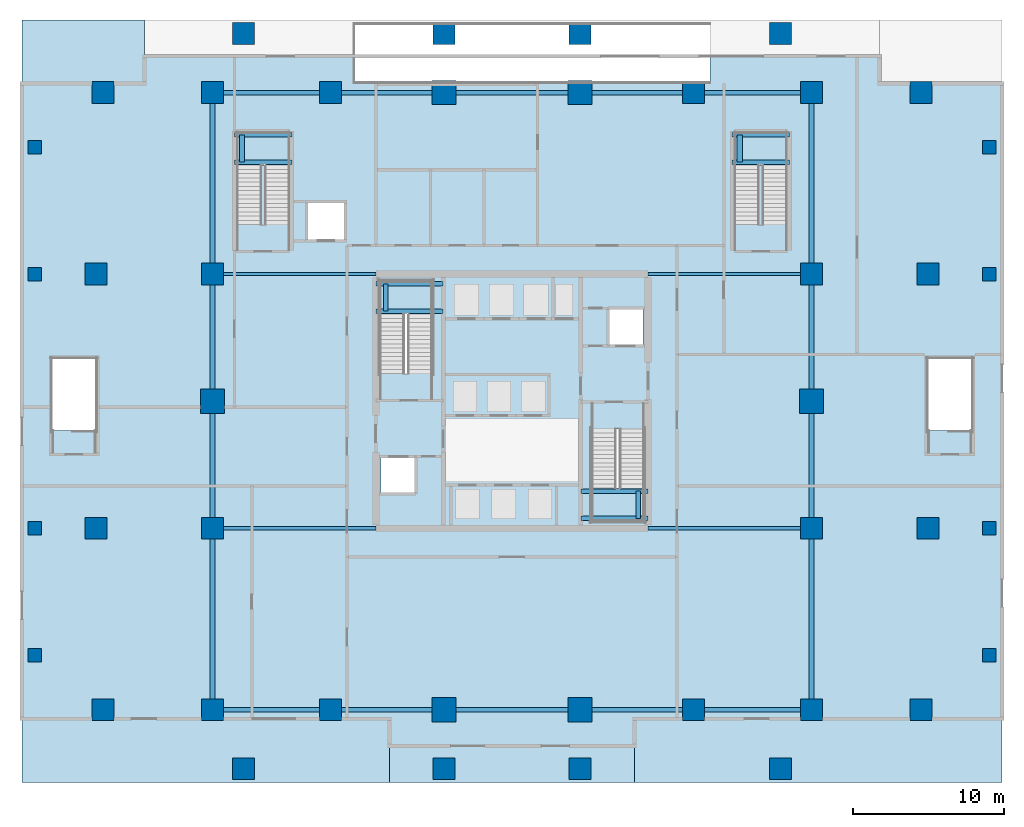
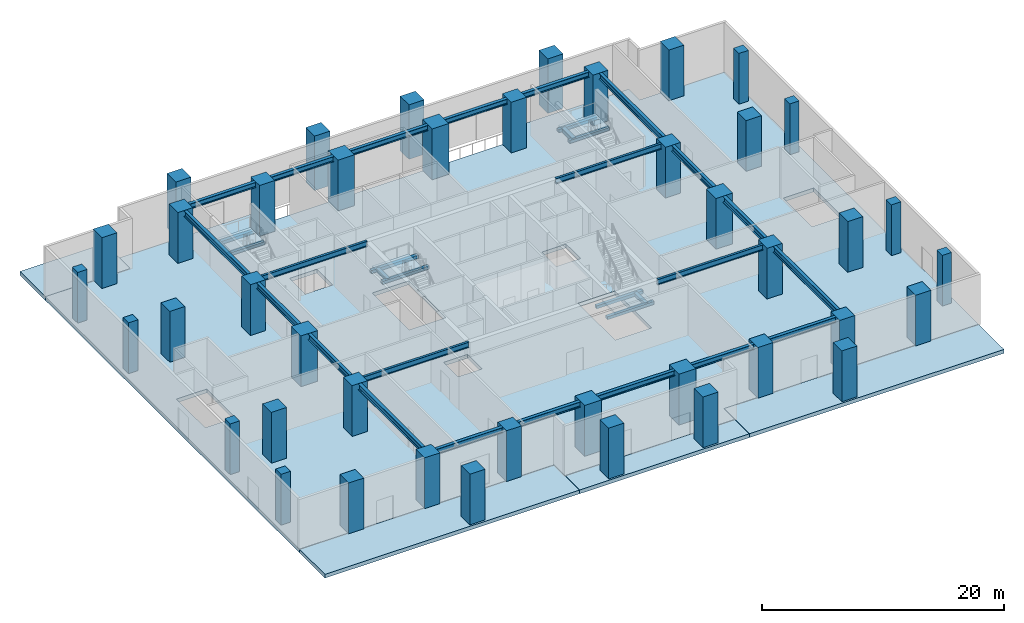
# One storey, part 1 of 15: 42 columns, 34 beams, 9 slabs, 4 elements without a shape of their own.
"""IFC4 building model written with IfcOpenShell, lengths in metres."""

from ifc_helpers import new_model, si_unit, direction, frame, origin, origin_2d, place, context, subcontext, project, spatial, polyline, rectangle, i_section, outline, extrude, source, transform, mapped, material, layer, layer_set, material_profile, profile_set, type_object, element, aggregate, save


model = new_model("IFC4")

# Units and contexts
model_context = context("Model", 3, precision=1e-05, world=origin(), true_north=direction((0.0, 1.0)))
body_context = subcontext(model_context, "Body", "Model", "MODEL_VIEW")
ifc_project = project(units=[si_unit("LENGTHUNIT", "METRE"), si_unit("AREAUNIT", "SQUARE_METRE"), si_unit("VOLUMEUNIT", "CUBIC_METRE"), si_unit("PLANEANGLEUNIT", "RADIAN"), si_unit("MASSUNIT", "GRAM", prefix="KILO")], contexts=[model_context])

# Site, building, storey
site_placement = place(None, origin())
site = spatial("IfcSite", under=ifc_project, at=site_placement, CompositionType="ELEMENT")
building_placement = place(site_placement, origin())
building = spatial("IfcBuilding", under=site, at=building_placement, Name="Serunith Strait Residences", CompositionType="ELEMENT")
storey_placement = place(building_placement, origin())
storey = spatial("IfcBuildingStorey", under=building, at=storey_placement, Name="L00", CompositionType="ELEMENT", Elevation=0.0)

# Columns
ifc_material_1 = material(Name="Concrete C70/85", Category="concrete")
ifc_material_profile_1 = material_profile(ifc_material_1, rectangle(XDim=0.89990234375, YDim=0.89990234375, at=origin_2d()), Name="RC 900x900")
ifc_profile_set_1 = profile_set([ifc_material_profile_1], Name="Concrete C70/85")
column_type_1 = type_object("IfcColumnType", Name="COL-RC-900", PredefinedType="COLUMN", material=ifc_profile_set_1)
shared_shape_1 = source(origin(), body_context, "Body", "SweptSolid", [
    extrude(rectangle(XDim=0.89990234375, YDim=0.89990234375, at=origin_2d()), origin(), (0.0, 0.0, 1.0), 5.5),
])
for number, where, z_axis, x_axis, name in (
    (1, (0.85009765625, 8.39990234375, -0.3798828125), (0.0, 0.0, 1.0), (1.0, 0.0, 0.0), "L00 Podium Column PC-W1"),
    (2, (0.85009765625, 16.800048828125, -0.3798828125), (0.0, 0.0, 1.0), (1.0, 0.0, 0.0), "L00 Podium Column PC-W2"),
    (3, (0.85009765625, 33.60009765625, -0.3798828125), (0.0, 0.0, 1.0), (1.0, 0.0, 0.0), "L00 Podium Column PC-W3"),
    (4, (0.85009765625, 42.0, -0.3798828125), (0.0, 0.0, 1.0), (1.0, 0.0, 0.0), "L00 Podium Column PC-W4"),
    (5, (63.949951171875, 8.39990234375, -0.3798828125), (0.0, 0.0, 1.0), (1.0, 0.0, 0.0), "L00 Podium Column PC-E1"),
    (6, (63.949951171875, 16.800048828125, -0.3798828125), (0.0, 0.0, 1.0), (1.0, 0.0, 0.0), "L00 Podium Column PC-E2"),
    (7, (63.949951171875, 33.60009765625, -0.3798828125), (0.0, 0.0, 1.0), (1.0, 0.0, 0.0), "L00 Podium Column PC-E3"),
    (8, (63.949951171875, 42.0, -0.3798828125), (0.0, 0.0, 1.0), (1.0, 0.0, 0.0), "L00 Podium Column PC-E4"),
):
    element("IfcColumn", number, at=place(storey_placement, frame(where, z_axis=z_axis, x_axis=x_axis)), inside=storey, type_object=column_type_1, Name=name, PredefinedType="COLUMN", context=body_context, shape_type="MappedRepresentation", body=[
        mapped(shared_shape_1, transform((0.0, 0.0, 0.0), scale=1.0)),
    ])
ifc_material_2 = material(Name="Concrete C90/105", Category="concrete")
ifc_material_profile_2 = material_profile(ifc_material_2, rectangle(XDim=1.449951171875, YDim=1.449951171875, at=origin_2d()), Name="RC 1450x1450")
ifc_profile_set_2 = profile_set([ifc_material_profile_2], Name="Concrete C90/105")
column_type_2 = type_object("IfcColumnType", Name="COL-RC-1450", PredefinedType="COLUMN", material=ifc_profile_set_2)
shared_shape_2 = source(origin(), body_context, "Body", "SweptSolid", [
    extrude(rectangle(XDim=1.449951171875, YDim=1.449951171875, at=origin_2d()), origin(), (0.0, 0.0, 1.0), 5.5),
])
for number, where, z_axis, x_axis, name in (
    (9, (12.60009765625, 4.800048828125, -0.3798828125), (0.0, 0.0, 1.0), (1.0, 0.0, 0.0), "L00 Podium Column PC-S1"),
    (10, (20.39990234375, 4.800048828125, -0.3798828125), (0.0, 0.0, 1.0), (1.0, 0.0, 0.0), "L00 Podium Column PC-S2"),
    (11, (44.39990234375, 4.800048828125, -0.3798828125), (0.0, 0.0, 1.0), (1.0, 0.0, 0.0), "L00 Podium Column PC-S5"),
    (12, (52.199951171875, 4.800048828125, -0.3798828125), (0.0, 0.0, 1.0), (1.0, 0.0, 0.0), "L00 Podium Column PC-S6"),
    (13, (12.60009765625, 45.60009765625, -0.3798828125), (0.0, 0.0, 1.0), (1.0, 0.0, 0.0), "L00 Podium Column PC-N1"),
    (14, (20.39990234375, 45.60009765625, -0.3798828125), (0.0, 0.0, 1.0), (1.0, 0.0, 0.0), "L00 Podium Column PC-N2"),
    (15, (44.39990234375, 45.60009765625, -0.3798828125), (0.0, 0.0, 1.0), (1.0, 0.0, 0.0), "L00 Podium Column PC-N5"),
    (16, (52.199951171875, 45.60009765625, -0.3798828125), (0.0, 0.0, 1.0), (1.0, 0.0, 0.0), "L00 Podium Column PC-N6"),
    (17, (12.60009765625, 16.800048828125, -0.3798828125), (0.0, 0.0, 1.0), (1.0, 0.0, 0.0), "L00 Podium Column PC-MW1"),
    (18, (12.60009765625, 33.60009765625, -0.3798828125), (0.0, 0.0, 1.0), (1.0, 0.0, 0.0), "L00 Podium Column PC-MW3"),
    (19, (52.199951171875, 16.800048828125, -0.3798828125), (0.0, 0.0, 1.0), (1.0, 0.0, 0.0), "L00 Podium Column PC-ME1"),
    (20, (52.199951171875, 33.60009765625, -0.3798828125), (0.0, 0.0, 1.0), (1.0, 0.0, 0.0), "L00 Podium Column PC-ME3"),
    (21, (14.64990234375, 0.89990234375, -0.3798828125), (0.0, 0.0, 1.0), (1.0, 0.0, 0.0), "L00 Podium Column PC-RS1"),
    (22, (27.89990234375, 0.89990234375, -0.3798828125), (0.0, 0.0, 1.0), (1.0, 0.0, 0.0), "L00 Podium Column PC-RS2"),
    (23, (36.89990234375, 0.89990234375, -0.3798828125), (0.0, 0.0, 1.0), (1.0, 0.0, 0.0), "L00 Podium Column PC-RS3"),
    (24, (50.14990234375, 0.89990234375, -0.3798828125), (0.0, 0.0, 1.0), (1.0, 0.0, 0.0), "L00 Podium Column PC-RS4"),
    (25, (14.64990234375, 49.5, -0.3798828125), (0.0, 0.0, 1.0), (1.0, 0.0, 0.0), "L00 Podium Column PC-RN1"),
    (26, (27.89990234375, 49.5, -0.3798828125), (0.0, 0.0, 1.0), (1.0, 0.0, 0.0), "L00 Podium Column PC-RN2"),
    (27, (36.89990234375, 49.5, -0.3798828125), (0.0, 0.0, 1.0), (1.0, 0.0, 0.0), "L00 Podium Column PC-RN3"),
    (28, (50.14990234375, 49.5, -0.3798828125), (0.0, 0.0, 1.0), (1.0, 0.0, 0.0), "L00 Podium Column PC-RN4"),
    (29, (4.89990234375, 16.800048828125, -0.3798828125), (0.0, 0.0, 1.0), (1.0, 0.0, 0.0), "L00 Podium Column PC-RW1"),
    (30, (4.89990234375, 33.60009765625, -0.3798828125), (0.0, 0.0, 1.0), (1.0, 0.0, 0.0), "L00 Podium Column PC-RW2"),
    (31, (59.89990234375, 16.800048828125, -0.3798828125), (0.0, 0.0, 1.0), (1.0, 0.0, 0.0), "L00 Podium Column PC-RE1"),
    (32, (59.89990234375, 33.60009765625, -0.3798828125), (0.0, 0.0, 1.0), (1.0, 0.0, 0.0), "L00 Podium Column PC-RE2"),
    (33, (5.35009765625, 4.800048828125, -0.3798828125), (0.0, 0.0, 1.0), (1.0, 0.0, 0.0), "L00 Podium Column PC-RWS"),
    (34, (5.35009765625, 45.60009765625, -0.3798828125), (0.0, 0.0, 1.0), (1.0, 0.0, 0.0), "L00 Podium Column PC-RWN"),
    (35, (59.449951171875, 4.800048828125, -0.3798828125), (0.0, 0.0, 1.0), (1.0, 0.0, 0.0), "L00 Podium Column PC-RES"),
    (36, (59.449951171875, 45.60009765625, -0.3798828125), (0.0, 0.0, 1.0), (1.0, 0.0, 0.0), "L00 Podium Column PC-REN"),
):
    element("IfcColumn", number, at=place(storey_placement, frame(where, z_axis=z_axis, x_axis=x_axis)), inside=storey, type_object=column_type_2, Name=name, PredefinedType="COLUMN", context=body_context, shape_type="MappedRepresentation", body=[
        mapped(shared_shape_2, transform((0.0, 0.0, 0.0), scale=1.0)),
    ])
ifc_material_profile_3 = material_profile(ifc_material_2, rectangle(XDim=1.60009765625, YDim=1.60009765625, at=origin_2d()), Name="RC 1600x1600")
ifc_profile_set_3 = profile_set([ifc_material_profile_3], Name="Concrete C90/105")
column_type_3 = type_object("IfcColumnType", Name="COL-RC-1600", PredefinedType="COLUMN", material=ifc_profile_set_3)
shared_shape_3 = source(origin(), body_context, "Body", "SweptSolid", [
    extrude(rectangle(XDim=1.60009765625, YDim=1.60009765625, at=origin_2d()), origin(), (0.0, 0.0, 1.0), 5.5),
])
for number, where, z_axis, x_axis, name in (
    (37, (27.89990234375, 4.800048828125, -0.3798828125), (0.0, 0.0, 1.0), (1.0, 0.0, 0.0), "L00 Podium Column PC-S3"),
    (38, (36.89990234375, 4.800048828125, -0.3798828125), (0.0, 0.0, 1.0), (1.0, 0.0, 0.0), "L00 Podium Column PC-S4"),
    (39, (27.89990234375, 45.60009765625, -0.3798828125), (0.0, 0.0, 1.0), (1.0, 0.0, 0.0), "L00 Podium Column PC-N3"),
    (40, (36.89990234375, 45.60009765625, -0.3798828125), (0.0, 0.0, 1.0), (1.0, 0.0, 0.0), "L00 Podium Column PC-N4"),
    (41, (12.60009765625, 25.199951171875, -0.3798828125), (0.0, 0.0, 1.0), (1.0, 0.0, 0.0), "L00 Podium Column PC-MW2"),
    (42, (52.199951171875, 25.199951171875, -0.3798828125), (0.0, 0.0, 1.0), (1.0, 0.0, 0.0), "L00 Podium Column PC-ME2"),
):
    element("IfcColumn", number, at=place(storey_placement, frame(where, z_axis=z_axis, x_axis=x_axis)), inside=storey, type_object=column_type_3, Name=name, PredefinedType="COLUMN", context=body_context, shape_type="MappedRepresentation", body=[
        mapped(shared_shape_3, transform((0.0, 0.0, 0.0), scale=1.0)),
    ])

# Beams
ifc_material_3 = material(Name="Steel S355J2", Category="steel")
ifc_material_profile_4 = material_profile(ifc_material_3, i_section(OverallWidth=0.300048828125, OverallDepth=0.550048828125, WebThickness=0.014892578125, FlangeThickness=0.029052734375, FilletRadius=0.027099609375, at=origin_2d()), Name="HEB 550")
ifc_profile_set_4 = profile_set([ifc_material_profile_4], Name="Steel S355J2")
beam_type_1 = type_object("IfcBeamType", Name="BM-HEB550", PredefinedType="BEAM", material=ifc_profile_set_4)
shared_shape_4 = source(origin(), body_context, "Body", "SweptSolid", [
    extrude(i_section(OverallWidth=0.300048828125, OverallDepth=0.550048828125, WebThickness=0.014892578125, FlangeThickness=0.029052734375, FilletRadius=0.027099609375, at=origin_2d()), origin(), (0.0, 0.0, 1.0), 7.7998046875),
])
for number, where, z_axis, x_axis, name in (
    (43, (12.60009765625, 4.800048828125, 4.842041015625), (1.0, 0.0, 0.0), (0.0, 1.0, 0.0), "BM-L00-01"),
    (44, (12.60009765625, 45.60009765625, 4.842041015625), (1.0, 0.0, 0.0), (0.0, 1.0, 0.0), "BM-L00-06"),
):
    element("IfcBeam", number, at=place(storey_placement, frame(where, z_axis=z_axis, x_axis=x_axis)), inside=storey, type_object=beam_type_1, Name=name, PredefinedType="BEAM", context=body_context, shape_type="MappedRepresentation", body=[
        mapped(shared_shape_4, transform((0.0, 0.0, 0.0), scale=1.0)),
    ])
shared_shape_5 = source(origin(), body_context, "Body", "SweptSolid", [
    extrude(i_section(OverallWidth=0.300048828125, OverallDepth=0.550048828125, WebThickness=0.014892578125, FlangeThickness=0.029052734375, FilletRadius=0.027099609375, at=origin_2d()), origin(), (0.0, 0.0, 1.0), 7.5),
])
for number, where, z_axis, x_axis, name in (
    (45, (20.39990234375, 4.800048828125, 4.842041015625), (1.0, 0.0, 0.0), (0.0, 1.0, 0.0), "BM-L00-02"),
    (46, (36.89990234375, 4.800048828125, 4.842041015625), (1.0, 0.0, 0.0), (0.0, 1.0, 0.0), "BM-L00-04"),
    (47, (20.39990234375, 45.60009765625, 4.842041015625), (1.0, 0.0, 0.0), (0.0, 1.0, 0.0), "BM-L00-07"),
    (48, (36.89990234375, 45.60009765625, 4.842041015625), (1.0, 0.0, 0.0), (0.0, 1.0, 0.0), "BM-L00-09"),
):
    element("IfcBeam", number, at=place(storey_placement, frame(where, z_axis=z_axis, x_axis=x_axis)), inside=storey, type_object=beam_type_1, Name=name, PredefinedType="BEAM", context=body_context, shape_type="MappedRepresentation", body=[
        mapped(shared_shape_5, transform((0.0, 0.0, 0.0), scale=1.0)),
    ])
shared_shape_6 = source(origin(), body_context, "Body", "SweptSolid", [
    extrude(i_section(OverallWidth=0.300048828125, OverallDepth=0.550048828125, WebThickness=0.014892578125, FlangeThickness=0.029052734375, FilletRadius=0.027099609375, at=origin_2d()), origin(), (0.0, 0.0, 1.0), 9.0),
])
for number, where, z_axis, x_axis, name in (
    (49, (27.89990234375, 4.800048828125, 4.842041015625), (1.0, 0.0, 0.0), (0.0, 1.0, 0.0), "BM-L00-03"),
    (50, (27.89990234375, 45.60009765625, 4.842041015625), (1.0, 0.0, 0.0), (0.0, 1.0, 0.0), "BM-L00-08"),
):
    element("IfcBeam", number, at=place(storey_placement, frame(where, z_axis=z_axis, x_axis=x_axis)), inside=storey, type_object=beam_type_1, Name=name, PredefinedType="BEAM", context=body_context, shape_type="MappedRepresentation", body=[
        mapped(shared_shape_6, transform((0.0, 0.0, 0.0), scale=1.0)),
    ])
shared_shape_7 = source(origin(), body_context, "Body", "SweptSolid", [
    extrude(i_section(OverallWidth=0.300048828125, OverallDepth=0.550048828125, WebThickness=0.014892578125, FlangeThickness=0.029052734375, FilletRadius=0.027099609375, at=origin_2d()), origin(), (0.0, 0.0, 1.0), 7.800048828125),
])
for number, where, z_axis, x_axis, name in (
    (51, (44.39990234375, 4.800048828125, 4.842041015625), (1.0, 0.0, 0.0), (0.0, 1.0, 0.0), "BM-L00-05"),
    (52, (44.39990234375, 45.60009765625, 4.842041015625), (1.0, 0.0, 0.0), (0.0, 1.0, 0.0), "BM-L00-10"),
):
    element("IfcBeam", number, at=place(storey_placement, frame(where, z_axis=z_axis, x_axis=x_axis)), inside=storey, type_object=beam_type_1, Name=name, PredefinedType="BEAM", context=body_context, shape_type="MappedRepresentation", body=[
        mapped(shared_shape_7, transform((0.0, 0.0, 0.0), scale=1.0)),
    ])
ifc_material_profile_5 = material_profile(ifc_material_3, i_section(OverallWidth=0.300048828125, OverallDepth=0.60009765625, WebThickness=0.015380859375, FlangeThickness=0.030029296875, FilletRadius=0.027099609375, at=origin_2d()), Name="HEB 600")
ifc_profile_set_5 = profile_set([ifc_material_profile_5], Name="Steel S355J2")
beam_type_2 = type_object("IfcBeamType", Name="BM-HEB600", PredefinedType="BEAM", material=ifc_profile_set_5)
shared_shape_8 = source(origin(), body_context, "Body", "SweptSolid", [
    extrude(i_section(OverallWidth=0.300048828125, OverallDepth=0.60009765625, WebThickness=0.015380859375, FlangeThickness=0.030029296875, FilletRadius=0.027099609375, at=origin_2d()), origin(), (0.0, 0.0, 1.0), 12.0),
])
for number, where, z_axis, x_axis, name in (
    (53, (12.60009765625, 4.800048828125, 4.81689453125), (0.0, 1.0, 0.0), (-1.0, 0.0, 0.0), "BM-L00-11"),
    (54, (12.60009765625, 33.60009765625, 4.81689453125), (0.0, 1.0, 0.0), (-1.0, 0.0, 0.0), "BM-L00-14"),
    (55, (52.199951171875, 4.800048828125, 4.81689453125), (0.0, 1.0, 0.0), (-1.0, 0.0, 0.0), "BM-L00-15"),
    (56, (52.199951171875, 33.60009765625, 4.81689453125), (0.0, 1.0, 0.0), (-1.0, 0.0, 0.0), "BM-L00-18"),
):
    element("IfcBeam", number, at=place(storey_placement, frame(where, z_axis=z_axis, x_axis=x_axis)), inside=storey, type_object=beam_type_2, Name=name, PredefinedType="BEAM", context=body_context, shape_type="MappedRepresentation", body=[
        mapped(shared_shape_8, transform((0.0, 0.0, 0.0), scale=1.0)),
    ])
shared_shape_9 = source(origin(), body_context, "Body", "SweptSolid", [
    extrude(i_section(OverallWidth=0.300048828125, OverallDepth=0.60009765625, WebThickness=0.015380859375, FlangeThickness=0.030029296875, FilletRadius=0.027099609375, at=origin_2d()), origin(), (0.0, 0.0, 1.0), 8.39990234375),
])
for number, where, z_axis, x_axis, name in (
    (57, (12.60009765625, 16.800048828125, 4.81689453125), (0.0, 1.0, 0.0), (-1.0, 0.0, 0.0), "BM-L00-12"),
    (58, (52.199951171875, 16.800048828125, 4.81689453125), (0.0, 1.0, 0.0), (-1.0, 0.0, 0.0), "BM-L00-16"),
):
    element("IfcBeam", number, at=place(storey_placement, frame(where, z_axis=z_axis, x_axis=x_axis)), inside=storey, type_object=beam_type_2, Name=name, PredefinedType="BEAM", context=body_context, shape_type="MappedRepresentation", body=[
        mapped(shared_shape_9, transform((0.0, 0.0, 0.0), scale=1.0)),
    ])
shared_shape_10 = source(origin(), body_context, "Body", "SweptSolid", [
    extrude(i_section(OverallWidth=0.300048828125, OverallDepth=0.60009765625, WebThickness=0.015380859375, FlangeThickness=0.030029296875, FilletRadius=0.027099609375, at=origin_2d()), origin(), (0.0, 0.0, 1.0), 8.400146484375),
])
for number, where, z_axis, x_axis, name in (
    (59, (12.60009765625, 25.199951171875, 4.81689453125), (0.0, 1.0, 0.0), (-1.0, 0.0, 0.0), "BM-L00-13"),
    (60, (52.199951171875, 25.199951171875, 4.81689453125), (0.0, 1.0, 0.0), (-1.0, 0.0, 0.0), "BM-L00-17"),
):
    element("IfcBeam", number, at=place(storey_placement, frame(where, z_axis=z_axis, x_axis=x_axis)), inside=storey, type_object=beam_type_2, Name=name, PredefinedType="BEAM", context=body_context, shape_type="MappedRepresentation", body=[
        mapped(shared_shape_10, transform((0.0, 0.0, 0.0), scale=1.0)),
    ])
ifc_material_profile_6 = material_profile(ifc_material_3, i_section(OverallWidth=0.2099609375, OverallDepth=0.550048828125, WebThickness=0.010986328125, FlangeThickness=0.01708984375, FilletRadius=0.02392578125, at=origin_2d()), Name="IPE 550")
ifc_profile_set_6 = profile_set([ifc_material_profile_6], Name="Steel S355J2")
beam_type_3 = type_object("IfcBeamType", Name="BM-IPE550", PredefinedType="BEAM", material=ifc_profile_set_6)
shared_shape_11 = source(origin(), body_context, "Body", "SweptSolid", [
    extrude(i_section(OverallWidth=0.2099609375, OverallDepth=0.550048828125, WebThickness=0.010986328125, FlangeThickness=0.01708984375, FilletRadius=0.02392578125, at=origin_2d()), origin(), (0.0, 0.0, 1.0), 10.7998046875),
])
for number, where, z_axis, x_axis, name in (
    (61, (12.60009765625, 16.800048828125, 4.842041015625), (1.0, 0.0, 0.0), (0.0, 1.0, 0.0), "BM-L00-19"),
    (62, (12.60009765625, 33.60009765625, 4.842041015625), (1.0, 0.0, 0.0), (0.0, 1.0, 0.0), "BM-L00-21"),
):
    element("IfcBeam", number, at=place(storey_placement, frame(where, z_axis=z_axis, x_axis=x_axis)), inside=storey, type_object=beam_type_3, Name=name, PredefinedType="BEAM", context=body_context, shape_type="MappedRepresentation", body=[
        mapped(shared_shape_11, transform((0.0, 0.0, 0.0), scale=1.0)),
    ])
shared_shape_12 = source(origin(), body_context, "Body", "SweptSolid", [
    extrude(i_section(OverallWidth=0.2099609375, OverallDepth=0.550048828125, WebThickness=0.010986328125, FlangeThickness=0.01708984375, FilletRadius=0.02392578125, at=origin_2d()), origin(), (0.0, 0.0, 1.0), 10.800048828125),
])
for number, where, z_axis, x_axis, name in (
    (63, (41.39990234375, 16.800048828125, 4.842041015625), (1.0, 0.0, 0.0), (0.0, 1.0, 0.0), "BM-L00-20"),
    (64, (41.39990234375, 33.60009765625, 4.842041015625), (1.0, 0.0, 0.0), (0.0, 1.0, 0.0), "BM-L00-22"),
):
    element("IfcBeam", number, at=place(storey_placement, frame(where, z_axis=z_axis, x_axis=x_axis)), inside=storey, type_object=beam_type_3, Name=name, PredefinedType="BEAM", context=body_context, shape_type="MappedRepresentation", body=[
        mapped(shared_shape_12, transform((0.0, 0.0, 0.0), scale=1.0)),
    ])
ifc_material_4 = material(Name="Concrete C60/75", Category="concrete")
ifc_material_profile_7 = material_profile(ifc_material_4, rectangle(XDim=0.300048828125, YDim=0.300048828125, at=origin_2d()), Name="RC 300x300")
ifc_profile_set_7 = profile_set([ifc_material_profile_7], Name="Concrete C60/75")
beam_type_4 = type_object("IfcBeamType", Name="BM-LAND-300x300", PredefinedType="BEAM", material=ifc_profile_set_7)
shared_shape_13 = source(origin(), body_context, "Body", "SweptSolid", [
    extrude(rectangle(XDim=0.300048828125, YDim=0.300048828125, at=origin_2d()), origin(), (0.0, 0.0, 1.0), 4.4501953125),
])
for number, where, z_axis, x_axis, name in (
    (65, (23.39990234375, 31.14990234375, 2.39990234375), (1.0, 0.0, 0.0), (0.0, 1.0, 0.0), "L00 ST-1 Landing Support Beam 1"),
    (66, (23.39990234375, 32.949951171875, 2.39990234375), (1.0, 0.0, 0.0), (0.0, 1.0, 0.0), "L00 ST-1 Landing Support Beam 2"),
):
    element("IfcBeam", number, at=place(storey_placement, frame(where, z_axis=z_axis, x_axis=x_axis)), inside=storey, type_object=beam_type_4, Name=name, PredefinedType="BEAM", context=body_context, shape_type="MappedRepresentation", body=[
        mapped(shared_shape_13, transform((0.0, 0.0, 0.0), scale=1.0)),
    ])
shared_shape_14 = source(origin(), body_context, "Body", "SweptSolid", [
    extrude(rectangle(XDim=0.300048828125, YDim=0.300048828125, at=origin_2d()), origin(), (0.0, 0.0, 1.0), 1.800048828125),
])
for number, where, z_axis, x_axis, name in (
    (67, (24.050048828125, 31.14990234375, 2.39990234375), (0.0, 1.0, 0.0), (-1.0, 0.0, 0.0), "L00 ST-1 Landing Transverse Tie Beam"),
    (68, (40.75, 17.449951171875, 2.39990234375), (0.0, 1.0, 0.0), (-1.0, 0.0, 0.0), "L00 ST-2 Landing Transverse Tie Beam"),
):
    element("IfcBeam", number, at=place(storey_placement, frame(where, z_axis=z_axis, x_axis=x_axis)), inside=storey, type_object=beam_type_4, Name=name, PredefinedType="BEAM", context=body_context, shape_type="MappedRepresentation", body=[
        mapped(shared_shape_14, transform((0.0, 0.0, 0.0), scale=1.0)),
    ])
shared_shape_15 = source(origin(), body_context, "Body", "SweptSolid", [
    extrude(rectangle(XDim=0.300048828125, YDim=0.300048828125, at=origin_2d()), origin(), (0.0, 0.0, 1.0), 4.449951171875),
])
for number, where, z_axis, x_axis, name in (
    (69, (36.949951171875, 17.449951171875, 2.39990234375), (1.0, 0.0, 0.0), (0.0, 1.0, 0.0), "L00 ST-2 Landing Support Beam 1"),
    (70, (36.949951171875, 19.25, 2.39990234375), (1.0, 0.0, 0.0), (0.0, 1.0, 0.0), "L00 ST-2 Landing Support Beam 2"),
):
    element("IfcBeam", number, at=place(storey_placement, frame(where, z_axis=z_axis, x_axis=x_axis)), inside=storey, type_object=beam_type_4, Name=name, PredefinedType="BEAM", context=body_context, shape_type="MappedRepresentation", body=[
        mapped(shared_shape_15, transform((0.0, 0.0, 0.0), scale=1.0)),
    ])
shared_shape_16 = source(origin(), body_context, "Body", "SweptSolid", [
    extrude(rectangle(XDim=0.300048828125, YDim=0.300048828125, at=origin_2d()), origin(), (0.0, 0.0, 1.0), 3.800048828125),
])
for number, where, z_axis, x_axis, name in (
    (71, (14.050048828125, 41.0, 2.39990234375), (1.0, 0.0, 0.0), (0.0, 1.0, 0.0), "L00 ST-3 Landing Support Beam 1"),
    (72, (14.050048828125, 42.800048828125, 2.39990234375), (1.0, 0.0, 0.0), (0.0, 1.0, 0.0), "L00 ST-3 Landing Support Beam 2"),
    (73, (46.949951171875, 41.0, 2.39990234375), (1.0, 0.0, 0.0), (0.0, 1.0, 0.0), "L00 ST-4 Landing Support Beam 1"),
    (74, (46.949951171875, 42.800048828125, 2.39990234375), (1.0, 0.0, 0.0), (0.0, 1.0, 0.0), "L00 ST-4 Landing Support Beam 2"),
):
    element("IfcBeam", number, at=place(storey_placement, frame(where, z_axis=z_axis, x_axis=x_axis)), inside=storey, type_object=beam_type_4, Name=name, PredefinedType="BEAM", context=body_context, shape_type="MappedRepresentation", body=[
        mapped(shared_shape_16, transform((0.0, 0.0, 0.0), scale=1.0)),
    ])
ifc_material_profile_8 = material_profile(ifc_material_4, rectangle(XDim=0.35009765625, YDim=0.39990234375, at=origin_2d()), Name="RC 350x400")
ifc_profile_set_8 = profile_set([ifc_material_profile_8], Name="Concrete C60/75")
beam_type_5 = type_object("IfcBeamType", Name="BM-LAND-350x400", PredefinedType="BEAM", material=ifc_profile_set_8)
shared_shape_17 = source(origin(), body_context, "Body", "SweptSolid", [
    extrude(rectangle(XDim=0.35009765625, YDim=0.39990234375, at=origin_2d()), origin(), (0.0, 0.0, 1.0), 1.800048828125),
])
for number, where, z_axis, x_axis, name in (
    (75, (14.550048828125, 41.0, 2.35009765625), (0.0, 1.0, 0.0), (-1.0, 0.0, 0.0), "L00 ST-3 Landing Transverse Trimmer"),
    (76, (47.449951171875, 41.0, 2.35009765625), (0.0, 1.0, 0.0), (-1.0, 0.0, 0.0), "L00 ST-4 Landing Transverse Trimmer"),
):
    element("IfcBeam", number, at=place(storey_placement, frame(where, z_axis=z_axis, x_axis=x_axis)), inside=storey, type_object=beam_type_5, Name=name, PredefinedType="BEAM", context=body_context, shape_type="MappedRepresentation", body=[
        mapped(shared_shape_17, transform((0.0, 0.0, 0.0), scale=1.0)),
    ])

# Stair, slab
ifc_material_5 = material(Name="Concrete C50/60", Category="concrete")
stair_type_1 = type_object("IfcStairType", Name="STR-CORE-1", PredefinedType="HALF_TURN_STAIR", material=ifc_material_5)
stair_1_placement = place(storey_placement, origin())
stair_1 = element("IfcStair", 77, at=stair_1_placement, inside=storey, type_object=stair_type_1, Name="L00 Protected Escape Stair ST-1", PredefinedType="HALF_TURN_STAIR")
ifc_layer_1 = layer(ifc_material_5, 0.199951171875, Name="Concrete C50/60")
ifc_layer_set_1 = layer_set([ifc_layer_1], Name="Concrete C50/60")
slab_type_1 = type_object("IfcSlabType", Name="SLB-LAND-200", PredefinedType="LANDING", material=ifc_layer_set_1)
slab_1_placement = place(storey_placement, frame((0.0, 0.0, 2.550048828125)))
slab_1 = element("IfcSlab", 78, at=slab_1_placement, type_object=slab_type_1, Name="ST-1 landing 1", PredefinedType="LANDING", context=body_context, shape_type="SweptSolid", body=[
    extrude(outline(polyline([(27.14990234375, 30.949951171875), (27.14990234375, 33.14990234375), (23.64990234375, 33.14990234375), (23.64990234375, 30.949951171875), (27.14990234375, 30.949951171875)])), origin(), (0.0, 0.0, 1.0), 0.199951171875),
])
aggregate(stair_1, [slab_1])

stair_type_2 = type_object("IfcStairType", Name="STR-CORE-2", PredefinedType="HALF_TURN_STAIR", material=ifc_material_5)
stair_2_placement = place(storey_placement, origin())
stair_2 = element("IfcStair", 79, at=stair_2_placement, inside=storey, type_object=stair_type_2, Name="L00 Protected Escape Stair ST-2", PredefinedType="HALF_TURN_STAIR")
slab_2_placement = place(storey_placement, frame((0.0, 0.0, 2.550048828125)))
slab_2 = element("IfcSlab", 80, at=slab_2_placement, type_object=slab_type_1, Name="ST-2 landing 1", PredefinedType="LANDING", context=body_context, shape_type="SweptSolid", body=[
    extrude(outline(polyline([(37.64990234375, 19.449951171875), (37.64990234375, 17.25), (41.14990234375, 17.25), (41.14990234375, 19.449951171875), (37.64990234375, 19.449951171875)])), origin(), (0.0, 0.0, 1.0), 0.199951171875),
])
aggregate(stair_2, [slab_2])

stair_type_3 = type_object("IfcStairType", Name="STR-POD-3", PredefinedType="HALF_TURN_STAIR", material=ifc_material_5)
stair_3_placement = place(storey_placement, origin())
stair_3 = element("IfcStair", 81, at=stair_3_placement, inside=storey, type_object=stair_type_3, Name="L00 Podium Escape Stair ST-3", PredefinedType="HALF_TURN_STAIR")
slab_3_placement = place(storey_placement, frame((0.0, 0.0, 2.550048828125)))
slab_3 = element("IfcSlab", 82, at=slab_3_placement, type_object=slab_type_1, Name="ST-3 landing 1", PredefinedType="LANDING", context=body_context, shape_type="SweptSolid", body=[
    extrude(outline(polyline([(17.699951171875, 40.800048828125), (17.699951171875, 43.0), (14.199951171875, 43.0), (14.199951171875, 40.800048828125), (17.699951171875, 40.800048828125)])), origin(), (0.0, 0.0, 1.0), 0.199951171875),
])
aggregate(stair_3, [slab_3])

stair_type_4 = type_object("IfcStairType", Name="STR-POD-4", PredefinedType="HALF_TURN_STAIR", material=ifc_material_5)
stair_4_placement = place(storey_placement, origin())
stair_4 = element("IfcStair", 83, at=stair_4_placement, inside=storey, type_object=stair_type_4, Name="L00 Podium Escape Stair ST-4", PredefinedType="HALF_TURN_STAIR")
slab_4_placement = place(storey_placement, frame((0.0, 0.0, 2.550048828125)))
slab_4 = element("IfcSlab", 84, at=slab_4_placement, type_object=slab_type_1, Name="ST-4 landing 1", PredefinedType="LANDING", context=body_context, shape_type="SweptSolid", body=[
    extrude(outline(polyline([(50.60009765625, 40.800048828125), (50.60009765625, 43.0), (47.10009765625, 43.0), (47.10009765625, 40.800048828125), (50.60009765625, 40.800048828125)])), origin(), (0.0, 0.0, 1.0), 0.199951171875),
])
aggregate(stair_4, [slab_4])

# Slabs
ifc_material_6 = material(Name="Concrete C40/50", Category="concrete")
ifc_layer_2 = layer(ifc_material_6, 0.3798828125, Name="Concrete C40/50")
ifc_layer_set_2 = layer_set([ifc_layer_2], Name="Concrete C40/50")
slab_type_2 = type_object("IfcSlabType", Name="SLB-PAV-380", PredefinedType="USERDEFINED", material=ifc_layer_set_2)
slab_5_placement = place(storey_placement, frame((0.0, 0.0, -0.3798828125)))
element("IfcSlab", 85, at=slab_5_placement, inside=storey, type_object=slab_type_2, Name="South West Strait Promenade Paving", ObjectType="PAVING", PredefinedType="USERDEFINED", context=body_context, shape_type="SweptSolid", body=[
    extrude(outline(polyline([(0.0, 0.0), (0.0, 4.18994140625), (24.2900390625, 4.18994140625), (24.2900390625, 2.389892578125), (24.294921875, 2.389892578125), (24.294921875, 0.0), (0.0, 0.0)])), origin(), (0.0, 0.0, 1.0), 0.3798828125),
])
slab_6_placement = place(storey_placement, frame((0.0, 0.0, -0.3798828125)))
element("IfcSlab", 86, at=slab_6_placement, inside=storey, type_object=slab_type_2, Name="Central Strait Forecourt Paving", ObjectType="PAVING", PredefinedType="USERDEFINED", context=body_context, shape_type="SweptSolid", body=[
    extrude(outline(polyline([(24.304931640625, 0.0), (24.304931640625, 2.389892578125), (40.4951171875, 2.389892578125), (40.4951171875, 0.0), (24.304931640625, 0.0)])), origin(), (0.0, 0.0, 1.0), 0.3798828125),
])
slab_7_placement = place(storey_placement, frame((0.0, 0.0, -0.3798828125)))
element("IfcSlab", 87, at=slab_7_placement, inside=storey, type_object=slab_type_2, Name="South East Strait Promenade Paving", ObjectType="PAVING", PredefinedType="USERDEFINED", context=body_context, shape_type="SweptSolid", body=[
    extrude(outline(polyline([(40.5048828125, 0.0), (40.5048828125, 2.389892578125), (40.510009765625, 2.389892578125), (40.510009765625, 4.18994140625), (64.800048828125, 4.18994140625), (64.800048828125, 0.0), (40.5048828125, 0.0)])), origin(), (0.0, 0.0, 1.0), 0.3798828125),
])
slab_8_placement = place(storey_placement, frame((0.0, 0.0, -0.3798828125)))
element("IfcSlab", 88, at=slab_8_placement, inside=storey, type_object=slab_type_2, Name="North West Forecourt Paving", ObjectType="PAVING", PredefinedType="USERDEFINED", context=body_context, shape_type="SweptSolid", body=[
    extrude(outline(polyline([(8.094970703125, 50.39990234375), (8.094970703125, 48.010009765625), (8.090087890625, 48.010009765625), (8.090087890625, 46.2099609375), (0.0, 46.2099609375), (0.0, 50.39990234375), (8.094970703125, 50.39990234375)])), origin(), (0.0, 0.0, 1.0), 0.3798828125),
])
ifc_layer_3 = layer(ifc_material_4, 0.3798828125, Name="Concrete C60/75")
ifc_layer_set_3 = layer_set([ifc_layer_3], Name="Concrete C60/75")
slab_type_3 = type_object("IfcSlabType", Name="SLB-POD-380", PredefinedType="FLOOR", material=ifc_layer_set_3)
slab_9_placement = place(storey_placement, frame((0.0, 0.0, -0.3798828125)))
element("IfcSlab", 89, at=slab_9_placement, inside=storey, type_object=slab_type_3, Name="L00 Structural Floor Plate", PredefinedType="FLOOR", context=body_context, shape_type="SweptSolid", body=[
    extrude(outline(polyline([(56.699951171875, 48.0), (56.699951171875, 46.199951171875), (64.800048828125, 46.199951171875), (64.800048828125, 4.199951171875), (40.5, 4.199951171875), (40.5, 2.39990234375), (24.300048828125, 2.39990234375), (24.300048828125, 4.199951171875), (0.0, 4.199951171875), (0.0, 46.199951171875), (8.10009765625, 46.199951171875), (8.10009765625, 48.0), (22.0, 48.0), (22.0, 46.300048828125), (45.5, 46.300048828125), (45.5, 48.0), (56.699951171875, 48.0)]), holes=[polyline([(59.89990234375, 28.0), (59.89990234375, 23.25), (62.800048828125, 23.25), (62.800048828125, 28.0), (59.89990234375, 28.0)]), polyline([(41.14990234375, 17.25), (41.14990234375, 23.3701171875), (37.64990234375, 23.3701171875), (37.64990234375, 17.25), (41.14990234375, 17.25)]), polyline([(41.050048828125, 31.25), (38.75, 31.25), (38.75, 28.85009765625), (41.050048828125, 28.85009765625), (41.050048828125, 31.25)]), polyline([(23.64990234375, 33.14990234375), (23.64990234375, 27.030029296875), (27.14990234375, 27.030029296875), (27.14990234375, 33.14990234375), (23.64990234375, 33.14990234375)]), polyline([(26.050048828125, 21.550048828125), (23.75, 21.550048828125), (23.75, 19.14990234375), (26.050048828125, 19.14990234375), (26.050048828125, 21.550048828125)]), polyline([(21.39990234375, 38.39990234375), (18.800048828125, 38.39990234375), (18.800048828125, 35.800048828125), (21.39990234375, 35.800048828125), (21.39990234375, 38.39990234375)]), polyline([(2.0, 28.0), (2.0, 23.25), (4.89990234375, 23.25), (4.89990234375, 28.0), (2.0, 28.0)])]), origin(), (0.0, 0.0, 1.0), 0.3798828125),
])

save(model, "model.ifc")
